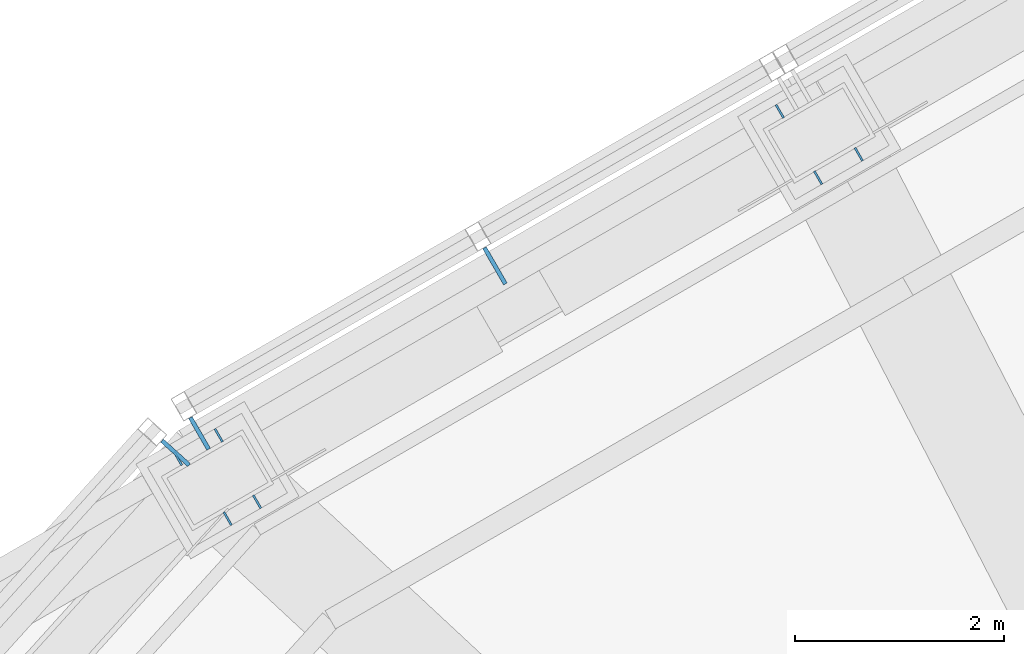
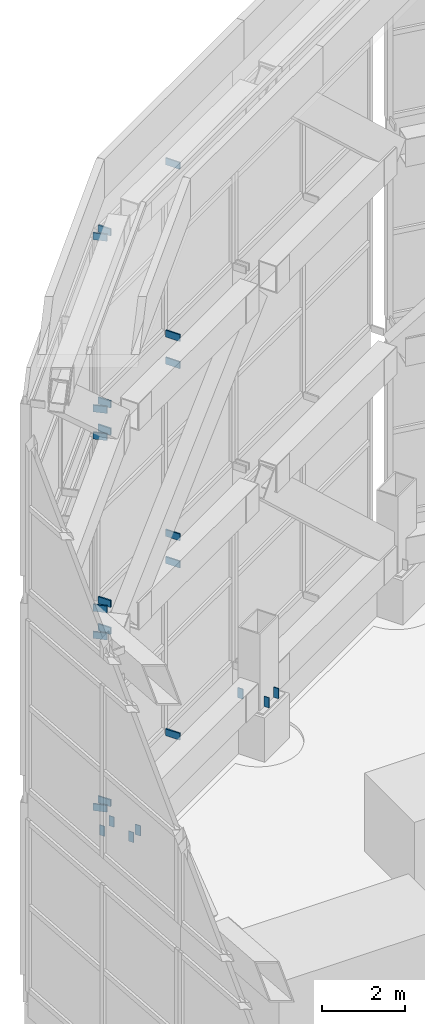
# One storey, part 39 of 46: 25 discrete accessories.
"""IFC4 building model written with IfcOpenShell, lengths in metres."""

from ifc_helpers import new_model, si_unit, direction, frame, origin, origin_2d, place, context, subcontext, project, spatial, rectangle, extrude, material, layer, layer_set, type_object, element, save


model = new_model("IFC4")

# Units and contexts
model_context = context("Model", 3, precision=1e-05, world=origin(), true_north=direction((0.0, 1.0)))
body_context = subcontext(model_context, "Body", "Model", "MODEL_VIEW")
ifc_project = project(units=[si_unit("LENGTHUNIT", "METRE"), si_unit("AREAUNIT", "SQUARE_METRE"), si_unit("VOLUMEUNIT", "CUBIC_METRE"), si_unit("PLANEANGLEUNIT", "RADIAN"), si_unit("MASSUNIT", "GRAM", prefix="KILO")], contexts=[model_context])

# Site, building, storey
site_placement = place(None, origin())
site = spatial("IfcSite", under=ifc_project, at=site_placement, CompositionType="ELEMENT")
building_placement = place(site_placement, origin())
building = spatial("IfcBuilding", under=site, at=building_placement, Name="Vanh Sen Convention Tower", CompositionType="ELEMENT")
storey_placement = place(building_placement, frame((0.0, 0.0, 305.0)))
storey = spatial("IfcBuildingStorey", under=building, at=storey_placement, Name="Roof level", CompositionType="ELEMENT", Elevation=305.0)

# Discrete accessories
ifc_material_1 = material(Name="Steel S355", Category="steel")
ifc_layer = layer(ifc_material_1, 0.02001953125)
ifc_layer_set = layer_set([ifc_layer], Name="Steel S355")
discrete_accessory_type_1 = type_object("IfcDiscreteAccessoryType", Name="Crown base plate stiffener 140 x 300 x 20", PredefinedType="USERDEFINED", material=ifc_layer_set)
for number, where, z_axis, x_axis, name in (
    (1, (-8.64599609375, 16.292236328125, 1.34521484375), (0.0, 0.0, 1.0), (0.5, -0.866025403784, 0.0), "STIFFENER crown column 08 rib 1"),
    (2, (-8.25634765625, 16.51708984375, 1.34521484375), (0.0, 0.0, 1.0), (0.5, -0.866025403784, 0.0), "STIFFENER crown column 08 rib 2"),
    (3, (-9.013427734375, 16.9287109375, 1.34521484375), (0.0, 0.0, 1.0), (0.5, -0.866025403784, 0.0), "STIFFENER crown column 08 rib 3"),
    (4, (-14.308349609375, 13.02294921875, 1.34521484375), (0.0, 0.0, 1.0), (0.5, -0.866025403784, 0.0), "STIFFENER crown column 09 rib 1"),
    (5, (-14.02685546875, 13.185546875, 1.34521484375), (0.0, 0.0, 1.0), (0.5, -0.866025403784, 0.0), "STIFFENER crown column 09 rib 2"),
    (6, (-14.7841796875, 13.59716796875, 1.34521484375), (0.0, 0.0, 1.0), (0.5, -0.866025403784, 0.0), "STIFFENER crown column 09 rib 3"),
    (7, (-14.394287109375, 13.822021484375, 1.34521484375), (0.0, 0.0, 1.0), (0.5, -0.866025403784, 0.0), "STIFFENER crown column 09 rib 4"),
):
    element("IfcDiscreteAccessory", number, at=place(storey_placement, frame(where, z_axis=z_axis, x_axis=x_axis)), inside=storey, type_object=discrete_accessory_type_1, Name=name, ObjectType="STIFFENER", PredefinedType="USERDEFINED", context=body_context, shape_type="SweptSolid", body=[
        extrude(rectangle(XDim=0.14501953125, YDim=0.02001953125, at=origin_2d()), origin(), (0.0, 0.0, 1.0), 0.300048828125),
    ])
ifc_material_2 = material(Name="Steel S355", Category="steel")
discrete_accessory_type_2 = type_object("IfcDiscreteAccessoryType", Name="Crown screen bracket 40 x 200", PredefinedType="BRACKET", material=ifc_material_2)
discrete_accessory_1_placement = place(storey_placement, frame((-11.7451171875, 15.447021484375, 2.044921875), z_axis=(0.0, 0.0, 1.0), x_axis=(-0.500004534492, 0.866022785779, 0.0)))
element("IfcDiscreteAccessory", 8, at=discrete_accessory_1_placement, inside=storey, type_object=discrete_accessory_type_2, Name="Crown screen bracket 08-1-2", PredefinedType="BRACKET", context=body_context, shape_type="SweptSolid", body=[
    extrude(rectangle(XDim=0.39990234375, YDim=0.0400390625, at=origin_2d()), origin(), (0.0, 0.0, 1.0), 0.199951171875),
])
discrete_accessory_2_placement = place(storey_placement, frame((-14.578125, 13.840087890625, 2.044921875), z_axis=(0.0, 0.0, 1.0), x_axis=(-0.500004534492, 0.866022785779, 0.0)))
element("IfcDiscreteAccessory", 9, at=discrete_accessory_2_placement, inside=storey, type_object=discrete_accessory_type_2, Name="Crown screen bracket 08-1-3", PredefinedType="BRACKET", context=body_context, shape_type="SweptSolid", body=[
    extrude(rectangle(XDim=0.35009765625, YDim=0.0400390625, at=origin_2d()), origin(), (0.0, 0.0, 1.0), 0.199951171875),
])
discrete_accessory_3_placement = place(storey_placement, frame((-11.7451171875, 15.447021484375, 7.11328125), z_axis=(0.0, 0.0, 1.0), x_axis=(-0.500004534492, 0.866022785779, 0.0)))
element("IfcDiscreteAccessory", 10, at=discrete_accessory_3_placement, inside=storey, type_object=discrete_accessory_type_2, Name="Crown screen bracket 08-1-5", PredefinedType="BRACKET", context=body_context, shape_type="SweptSolid", body=[
    extrude(rectangle(XDim=0.39990234375, YDim=0.0400390625, at=origin_2d()), origin(), (0.0, 0.0, 1.0), 0.199951171875),
])
discrete_accessory_4_placement = place(storey_placement, frame((-14.578125, 13.840087890625, 7.11328125), z_axis=(0.0, 0.0, 1.0), x_axis=(-0.500004534492, 0.866022785779, 0.0)))
element("IfcDiscreteAccessory", 11, at=discrete_accessory_4_placement, inside=storey, type_object=discrete_accessory_type_2, Name="Crown screen bracket 08-1-6", PredefinedType="BRACKET", context=body_context, shape_type="SweptSolid", body=[
    extrude(rectangle(XDim=0.35009765625, YDim=0.0400390625, at=origin_2d()), origin(), (0.0, 0.0, 1.0), 0.199951171875),
])
discrete_accessory_5_placement = place(storey_placement, frame((-11.7451171875, 15.447021484375, 7.9130859375), z_axis=(0.0, 0.0, 1.0), x_axis=(-0.500004534492, 0.866022785779, 0.0)))
element("IfcDiscreteAccessory", 12, at=discrete_accessory_5_placement, inside=storey, type_object=discrete_accessory_type_2, Name="Crown screen bracket 08-2-2", PredefinedType="BRACKET", context=body_context, shape_type="SweptSolid", body=[
    extrude(rectangle(XDim=0.39990234375, YDim=0.0400390625, at=origin_2d()), origin(), (0.0, 0.0, 1.0), 0.199951171875),
])
discrete_accessory_6_placement = place(storey_placement, frame((-14.578125, 13.840087890625, 7.9130859375), z_axis=(0.0, 0.0, 1.0), x_axis=(-0.500004534492, 0.866022785779, 0.0)))
element("IfcDiscreteAccessory", 13, at=discrete_accessory_6_placement, inside=storey, type_object=discrete_accessory_type_2, Name="Crown screen bracket 08-2-3", PredefinedType="BRACKET", context=body_context, shape_type="SweptSolid", body=[
    extrude(rectangle(XDim=0.35009765625, YDim=0.0400390625, at=origin_2d()), origin(), (0.0, 0.0, 1.0), 0.199951171875),
])
discrete_accessory_7_placement = place(storey_placement, frame((-11.7451171875, 15.447021484375, 12.98193359375), z_axis=(0.0, 0.0, 1.0), x_axis=(-0.500004534492, 0.866022785779, 0.0)))
element("IfcDiscreteAccessory", 14, at=discrete_accessory_7_placement, inside=storey, type_object=discrete_accessory_type_2, Name="Crown screen bracket 08-2-5", PredefinedType="BRACKET", context=body_context, shape_type="SweptSolid", body=[
    extrude(rectangle(XDim=0.39990234375, YDim=0.0400390625, at=origin_2d()), origin(), (0.0, 0.0, 1.0), 0.199951171875),
])
discrete_accessory_8_placement = place(storey_placement, frame((-14.578125, 13.840087890625, 12.98193359375), z_axis=(0.0, 0.0, 1.0), x_axis=(-0.500004534492, 0.866022785779, 0.0)))
element("IfcDiscreteAccessory", 15, at=discrete_accessory_8_placement, inside=storey, type_object=discrete_accessory_type_2, Name="Crown screen bracket 08-2-6", PredefinedType="BRACKET", context=body_context, shape_type="SweptSolid", body=[
    extrude(rectangle(XDim=0.35009765625, YDim=0.0400390625, at=origin_2d()), origin(), (0.0, 0.0, 1.0), 0.199951171875),
])
discrete_accessory_9_placement = place(storey_placement, frame((-11.7451171875, 15.447021484375, 13.78173828125), z_axis=(0.0, 0.0, 1.0), x_axis=(-0.500004534492, 0.866022785779, 0.0)))
element("IfcDiscreteAccessory", 16, at=discrete_accessory_9_placement, inside=storey, type_object=discrete_accessory_type_2, Name="Crown screen bracket 08-3-2", PredefinedType="BRACKET", context=body_context, shape_type="SweptSolid", body=[
    extrude(rectangle(XDim=0.39990234375, YDim=0.0400390625, at=origin_2d()), origin(), (0.0, 0.0, 1.0), 0.199951171875),
])
discrete_accessory_10_placement = place(storey_placement, frame((-14.578125, 13.840087890625, 13.78173828125), z_axis=(0.0, 0.0, 1.0), x_axis=(-0.500004534492, 0.866022785779, 0.0)))
element("IfcDiscreteAccessory", 17, at=discrete_accessory_10_placement, inside=storey, type_object=discrete_accessory_type_2, Name="Crown screen bracket 08-3-3", PredefinedType="BRACKET", context=body_context, shape_type="SweptSolid", body=[
    extrude(rectangle(XDim=0.35009765625, YDim=0.0400390625, at=origin_2d()), origin(), (0.0, 0.0, 1.0), 0.199951171875),
])
discrete_accessory_11_placement = place(storey_placement, frame((-11.7451171875, 15.447021484375, 18.85009765625), z_axis=(0.0, 0.0, 1.0), x_axis=(-0.500004534492, 0.866022785779, 0.0)))
element("IfcDiscreteAccessory", 18, at=discrete_accessory_11_placement, inside=storey, type_object=discrete_accessory_type_2, Name="Crown screen bracket 08-3-5", PredefinedType="BRACKET", context=body_context, shape_type="SweptSolid", body=[
    extrude(rectangle(XDim=0.39990234375, YDim=0.0400390625, at=origin_2d()), origin(), (0.0, 0.0, 1.0), 0.199951171875),
])
for number, where, z_axis, x_axis, name in (
    (19, (-14.578125, 13.840087890625, 18.85009765625), (0.0, 0.0, 1.0), (-0.500004534492, 0.866022785779, 0.0), "Crown screen bracket 08-3-6"),
    (20, (-14.808349609375, 13.654052734375, 2.044921875), (0.0, 0.0, 1.0), (-0.742232041995, 0.670142966713, 0.0), "Crown screen bracket 09-1-1"),
    (21, (-14.808349609375, 13.654052734375, 7.11328125), (0.0, 0.0, 1.0), (-0.742232041995, 0.670142966713, 0.0), "Crown screen bracket 09-1-4"),
    (22, (-14.808349609375, 13.654052734375, 7.9130859375), (0.0, 0.0, 1.0), (-0.742232041995, 0.670142966713, 0.0), "Crown screen bracket 09-2-1"),
    (23, (-14.808349609375, 13.654052734375, 12.98193359375), (0.0, 0.0, 1.0), (-0.742232041995, 0.670142966713, 0.0), "Crown screen bracket 09-2-4"),
    (24, (-14.808349609375, 13.654052734375, 13.78173828125), (0.0, 0.0, 1.0), (-0.742232041995, 0.670142966713, 0.0), "Crown screen bracket 09-3-1"),
    (25, (-14.808349609375, 13.654052734375, 18.85009765625), (0.0, 0.0, 1.0), (-0.742232041995, 0.670142966713, 0.0), "Crown screen bracket 09-3-4"),
):
    element("IfcDiscreteAccessory", number, at=place(storey_placement, frame(where, z_axis=z_axis, x_axis=x_axis)), inside=storey, type_object=discrete_accessory_type_2, Name=name, PredefinedType="BRACKET", context=body_context, shape_type="SweptSolid", body=[
        extrude(rectangle(XDim=0.35009765625, YDim=0.0400390625, at=origin_2d()), origin(), (0.0, 0.0, 1.0), 0.199951171875),
    ])

save(model, "model.ifc")
